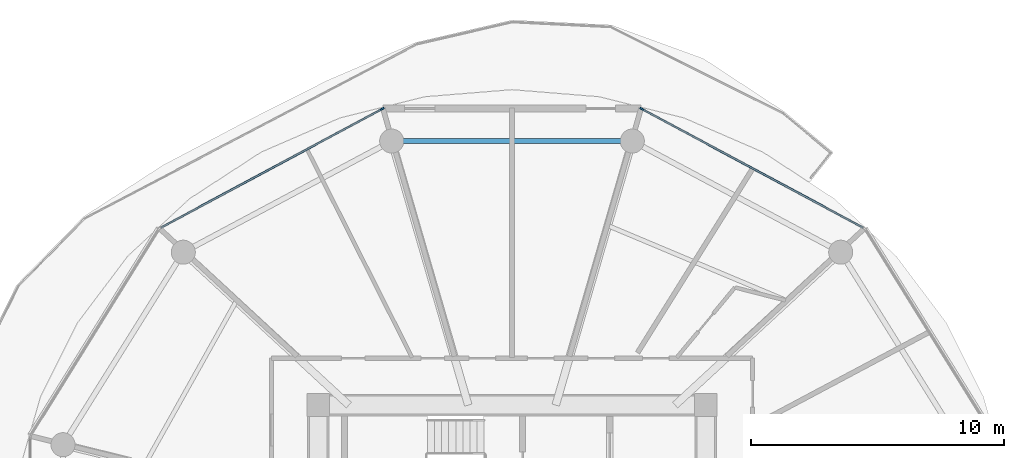
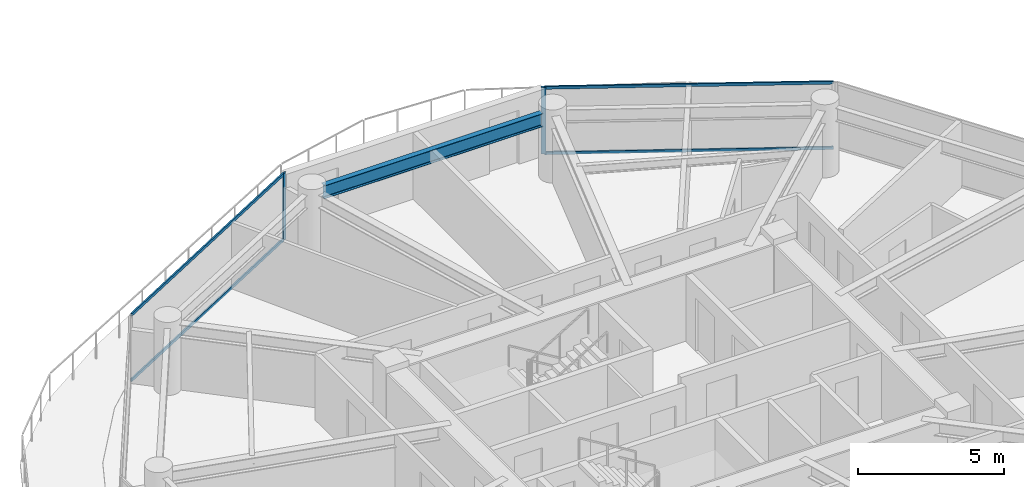
# One storey, part 9 of 26: 6 members, 1 beam, 2 elements without a shape of their own.
"""IFC4 building model written with IfcOpenShell, lengths in metres."""

from ifc_helpers import new_model, si_unit, direction, frame, origin, origin_2d, place, context, subcontext, project, spatial, rectangle, i_section, extrude, source, transform, mapped, material, layer, layer_set, material_profile, profile_set, type_object, type_shapes, element, aggregate, save


model = new_model("IFC4")

# Units and contexts
model_context = context("Model", 3, precision=1e-05, world=origin(), true_north=direction((0.0, 1.0)))
body_context = subcontext(model_context, "Body", "Model", "MODEL_VIEW")
ifc_project = project(units=[si_unit("LENGTHUNIT", "METRE"), si_unit("AREAUNIT", "SQUARE_METRE"), si_unit("VOLUMEUNIT", "CUBIC_METRE"), si_unit("PLANEANGLEUNIT", "RADIAN"), si_unit("MASSUNIT", "GRAM", prefix="KILO")], contexts=[model_context])

# Site, building, storey
site_placement = place(None, origin())
site = spatial("IfcSite", under=ifc_project, at=site_placement, CompositionType="ELEMENT")
building_placement = place(site_placement, origin())
building = spatial("IfcBuilding", under=site, at=building_placement, Name="Norrkilde Senior Care Towers", CompositionType="ELEMENT")
storey_placement = place(building_placement, frame((0.0, 0.0, 24.64990234375)))
storey = spatial("IfcBuildingStorey", under=building, at=storey_placement, Name="L06", CompositionType="ELEMENT", Elevation=24.64990234375)

# Beam
ifc_material_1 = material(Name="Steel S355", Category="steel")
ifc_material_profile_1 = material_profile(ifc_material_1, i_section(OverallWidth=0.2099609375, OverallDepth=0.550048828125, WebThickness=0.010986328125, FlangeThickness=0.01708984375, FilletRadius=0.02392578125, at=origin_2d()), Name="IPE 550")
ifc_profile_set_1 = profile_set([ifc_material_profile_1], Name="Steel S355")
beam_type = type_object("IfcBeamType", Name="Perimeter Ring Spandrel Z1 IPE550", PredefinedType="SPANDREL", material=ifc_profile_set_1)
shared_shape_1 = source(origin(), body_context, "Body", "SweptSolid", [
    extrude(i_section(OverallWidth=0.2099609375, OverallDepth=0.550048828125, WebThickness=0.010986328125, FlangeThickness=0.01708984375, FilletRadius=0.02392578125, at=origin_2d()), origin(), (0.0, 0.0, 1.0), 8.62841796875),
])
type_shapes(beam_type, [shared_shape_1])
beam_placement = place(storey_placement, frame((-23.685791015625, 16.37255859375, 2.51513671875), z_axis=(-1.0, 0.0, 0.0), x_axis=(0.0, -1.0, 0.0)))
element("IfcBeam", 1, at=beam_placement, inside=storey, type_object=beam_type, Name="L06 Drum W Perimeter Spandrel 03", PredefinedType="SPANDREL", context=body_context, shape_type="MappedRepresentation", body=[
    mapped(shared_shape_1, transform((0.0, 0.0, 0.0), x_axis=(1.0, 0.0, 0.0), y_axis=(0.0, 1.0, 0.0), z_axis=(0.0, 0.0, 1.0), scale=1.0)),
])

# Curtain wall, member
ifc_material_2 = material(Name="Triple Low-E Insulated Glazing", Category="glass")
ifc_layer = layer(ifc_material_2, 0.199951171875)
ifc_layer_set = layer_set([ifc_layer], Name="Triple Low-E Insulated Glazing")
curtain_wall_type = type_object("IfcCurtainWallType", Name="CW2 Zone 1 Memory Care Curtain Wall", PredefinedType="NOTDEFINED", material=ifc_layer_set)
curtain_wall_1_placement = place(storey_placement, origin())
curtain_wall_1 = element("IfcCurtainWall", 2, at=curtain_wall_1_placement, inside=storey, type_object=curtain_wall_type, Name="L06 Drum W Curtain Wall 01", PredefinedType="NOTDEFINED")
ifc_material_3 = material(Name="Anodised Aluminium", Category="aluminium")
ifc_material_profile_2 = material_profile(ifc_material_3, rectangle(XDim=0.06494140625, YDim=0.159912109375, at=origin_2d()), Name="ALU MULL 65x160")
ifc_profile_set_2 = profile_set([ifc_material_profile_2], Name="Anodised Aluminium")
member_type_1 = type_object("IfcMemberType", Name="Curtain Wall Mullion Z1-Z2 65x160", PredefinedType="MULLION", material=ifc_profile_set_2)
shared_shape_2 = source(origin(), body_context, "Body", "SweptSolid", [
    extrude(rectangle(XDim=0.06494140625, YDim=0.159912109375, at=origin_2d()), origin(), (0.0, 0.0, 1.0), 2.7900390625),
])
type_shapes(member_type_1, [shared_shape_2])
member_1_placement = place(storey_placement, frame((-22.877685546875, 17.641845703125, 0.0), z_axis=(0.0, 0.0, 1.0), x_axis=(0.472607802456, 0.881272866403, 0.0)))
member_1 = element("IfcMember", 3, at=member_1_placement, type_object=member_type_1, Name="CW-2 mullion 1", PredefinedType="MULLION", context=body_context, shape_type="MappedRepresentation", body=[
    mapped(shared_shape_2, transform((0.0, 0.0, 0.0), x_axis=(1.0, 0.0, 0.0), y_axis=(0.0, 1.0, 0.0), z_axis=(0.0, 0.0, 1.0), scale=1.0)),
])

curtain_wall_2_placement = place(storey_placement, origin())
curtain_wall_2 = element("IfcCurtainWall", 4, at=curtain_wall_2_placement, inside=storey, type_object=curtain_wall_type, Name="L06 Drum W Curtain Wall 03", PredefinedType="NOTDEFINED")
member_2_placement = place(storey_placement, frame((-33.122314453125, 17.641845703125, 0.0), z_axis=(0.0, 0.0, 1.0), x_axis=(-0.472607802456, 0.881272866403, 0.0)))
member_2 = element("IfcMember", 5, at=member_2_placement, type_object=member_type_1, Name="CW-2 mullion 2", PredefinedType="MULLION", context=body_context, shape_type="MappedRepresentation", body=[
    mapped(shared_shape_2, transform((0.0, 0.0, 0.0), x_axis=(1.0, 0.0, 0.0), y_axis=(0.0, 1.0, 0.0), z_axis=(0.0, 0.0, 1.0), scale=1.0)),
])

# Member
ifc_material_profile_3 = material_profile(ifc_material_3, rectangle(XDim=0.06005859375, YDim=0.1201171875, at=origin_2d()), Name="ALU TRAN 60x120")
ifc_profile_set_3 = profile_set([ifc_material_profile_3], Name="Anodised Aluminium")
member_type_2 = type_object("IfcMemberType", Name="Curtain Wall Transom Typical 60x120", PredefinedType="USERDEFINED", material=ifc_profile_set_3)
shared_shape_3 = source(origin(), body_context, "Body", "SweptSolid", [
    extrude(rectangle(XDim=0.06005859375, YDim=0.1201171875, at=origin_2d()), origin(), (0.0, 0.0, 1.0), 9.880859375),
])
type_shapes(member_type_2, [shared_shape_3])
member_3_placement = place(storey_placement, frame((-22.84912109375, 17.62646484375, 0.030029296875), z_axis=(0.881267204043, -0.47261836092, 0.0), x_axis=(0.47261836092, 0.881267204043, 0.0)))
member_3 = element("IfcMember", 6, at=member_3_placement, type_object=member_type_2, Name="CW-2 transom 1.1", ObjectType="TRANSOM", PredefinedType="USERDEFINED", context=body_context, shape_type="MappedRepresentation", body=[
    mapped(shared_shape_3, transform((0.0, 0.0, 0.0), x_axis=(1.0, 0.0, 0.0), y_axis=(0.0, 1.0, 0.0), z_axis=(0.0, 0.0, 1.0), scale=1.0)),
])

member_4_placement = place(storey_placement, frame((-22.84912109375, 17.62646484375, 2.760009765625), z_axis=(0.881267204043, -0.47261836092, 0.0), x_axis=(0.47261836092, 0.881267204043, 0.0)))
member_4 = element("IfcMember", 7, at=member_4_placement, type_object=member_type_2, Name="CW-2 transom 1.2", ObjectType="TRANSOM", PredefinedType="USERDEFINED", context=body_context, shape_type="MappedRepresentation", body=[
    mapped(shared_shape_3, transform((0.0, 0.0, 0.0), x_axis=(1.0, 0.0, 0.0), y_axis=(0.0, 1.0, 0.0), z_axis=(0.0, 0.0, 1.0), scale=1.0)),
])

aggregate(curtain_wall_1, [member_1, member_3, member_4])

member_5_placement = place(storey_placement, frame((-41.858642578125, 12.95654296875, 0.030029296875), z_axis=(0.881267204043, 0.47261836092, 0.0), x_axis=(-0.47261836092, 0.881267204043, 0.0)))
member_5 = element("IfcMember", 8, at=member_5_placement, type_object=member_type_2, Name="CW-2 transom 1.1", ObjectType="TRANSOM", PredefinedType="USERDEFINED", context=body_context, shape_type="MappedRepresentation", body=[
    mapped(shared_shape_3, transform((0.0, 0.0, 0.0), x_axis=(1.0, 0.0, 0.0), y_axis=(0.0, 1.0, 0.0), z_axis=(0.0, 0.0, 1.0), scale=1.0)),
])

member_6_placement = place(storey_placement, frame((-41.858642578125, 12.95654296875, 2.760009765625), z_axis=(0.881267204043, 0.47261836092, 0.0), x_axis=(-0.47261836092, 0.881267204043, 0.0)))
member_6 = element("IfcMember", 9, at=member_6_placement, type_object=member_type_2, Name="CW-2 transom 1.2", ObjectType="TRANSOM", PredefinedType="USERDEFINED", context=body_context, shape_type="MappedRepresentation", body=[
    mapped(shared_shape_3, transform((0.0, 0.0, 0.0), x_axis=(1.0, 0.0, 0.0), y_axis=(0.0, 1.0, 0.0), z_axis=(0.0, 0.0, 1.0), scale=1.0)),
])

aggregate(curtain_wall_2, [member_2, member_5, member_6])

save(model, "model.ifc")
